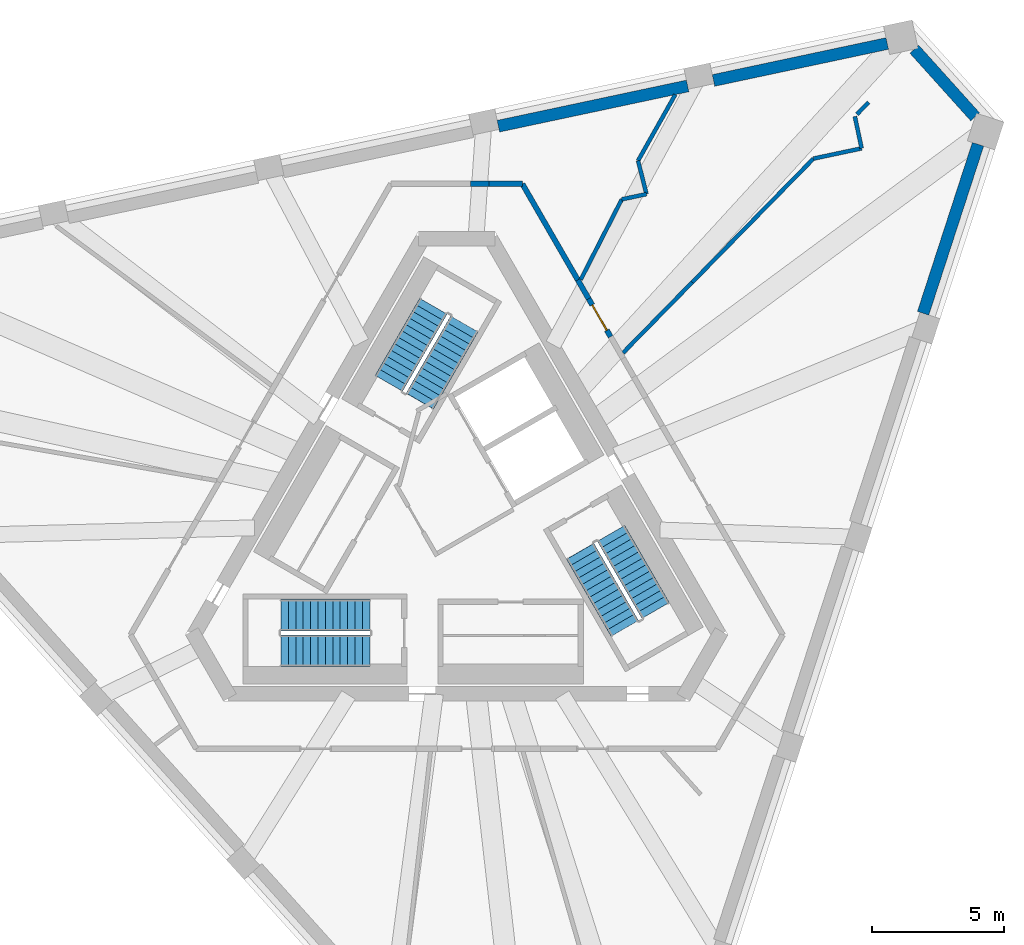
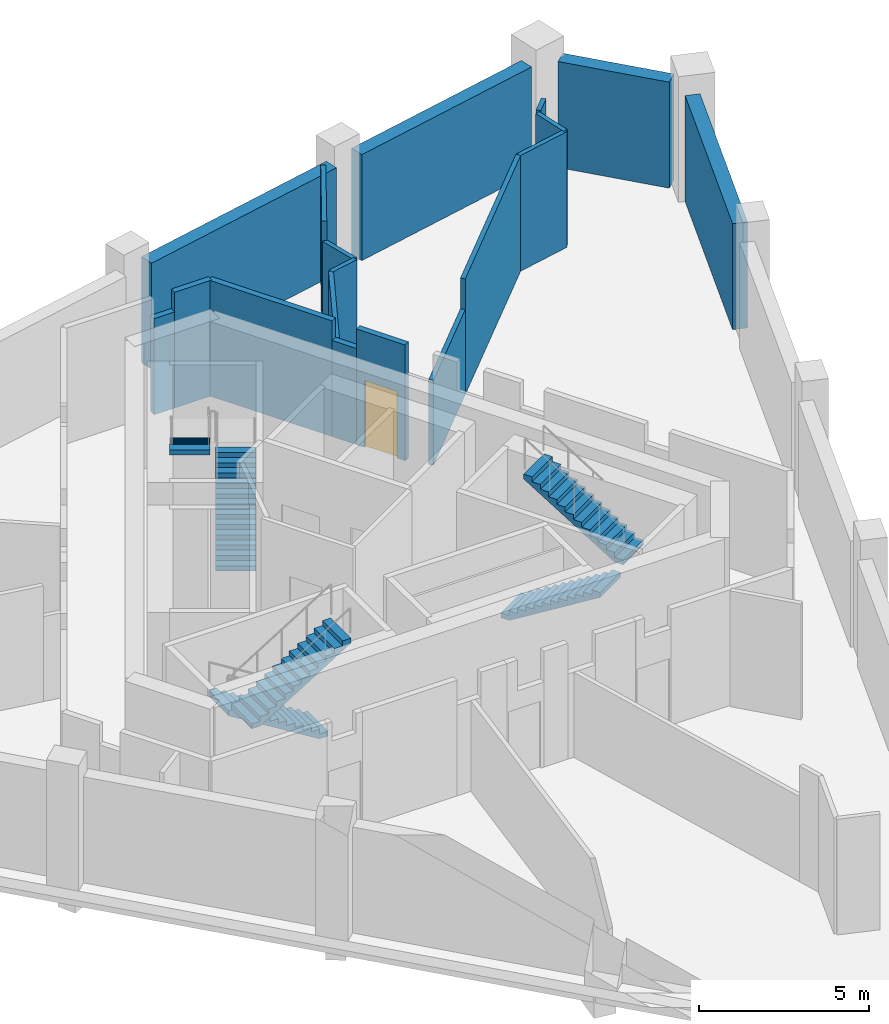
# One storey, part 4 of 5: 18 walls, 6 stair flights, 1 door, 1 opening, 3 elements without a shape of their own.
"""IFC4 building model written with IfcOpenShell, lengths in metres."""

from ifc_helpers import new_model, si_unit, direction, frame, frame_2d, origin, place, context, subcontext, project, spatial, polyline, rectangle, outline, extrude, material, layer, layer_set, type_object, element, fill, aggregate, save


model = new_model("IFC4")

# Units and contexts
model_context = context("Model", 3, precision=1e-05, world=origin(), true_north=direction((0.0, 1.0)))
body_context = subcontext(model_context, "Body", "Model", "MODEL_VIEW")
ifc_project = project(units=[si_unit("LENGTHUNIT", "METRE"), si_unit("AREAUNIT", "SQUARE_METRE"), si_unit("VOLUMEUNIT", "CUBIC_METRE"), si_unit("PLANEANGLEUNIT", "RADIAN"), si_unit("MASSUNIT", "GRAM", prefix="KILO")], contexts=[model_context])

# Site, building, storey
site_placement = place(None, origin())
site = spatial("IfcSite", under=ifc_project, at=site_placement, CompositionType="ELEMENT")
building_placement = place(site_placement, origin())
building = spatial("IfcBuilding", under=site, at=building_placement, Name="Tramontana Tower", CompositionType="ELEMENT")
storey_placement = place(building_placement, frame((0.0, 0.0, 370.39990234375)))
storey = spatial("IfcBuildingStorey", under=building, at=storey_placement, Name="L85", CompositionType="ELEMENT", Elevation=370.39990234375)

# Walls
ifc_material_1 = material(Name="Blockwork", Category="masonry")
ifc_layer_1 = layer(ifc_material_1, 0.199951171875)
ifc_layer_set_1 = layer_set([ifc_layer_1], Name="ENTRY WALL 200")
wall_type_1 = type_object("IfcWallType", Name="ENTRY WALL 200", PredefinedType="SOLIDWALL", material=ifc_layer_set_1)
wall_1_placement = place(storey_placement, frame((0.520263671875, 12.800048828125, 0.0), z_axis=(0.0, 0.0, 1.0), x_axis=(1.0, 0.0, 0.0)))
element("IfcWall", 1, at=wall_1_placement, inside=storey, type_object=wall_type_1, Name="Wall ew4-1", PredefinedType="SOLIDWALL", context=body_context, shape_type="SweptSolid", body=[
    extrude(rectangle(XDim=0.701416015625, YDim=0.199951171875, at=frame_2d((0.3505859375, 0.0))), origin(), (0.0, 0.0, 1.0), 3.4501953125),
])
wall_2_placement = place(storey_placement, frame((1.2216796875, 12.800048828125, 0.0), z_axis=(0.0, 0.0, 1.0), x_axis=(1.0, 0.0, 0.0)))
element("IfcWall", 2, at=wall_2_placement, inside=storey, type_object=wall_type_1, Name="Wall ew4-2", PredefinedType="SOLIDWALL", context=body_context, shape_type="SweptSolid", body=[
    extrude(rectangle(XDim=1.260986328125, YDim=0.199951171875, at=frame_2d((0.63037109375, 0.0))), origin(), (0.0, 0.0, 1.0), 4.150146484375),
])
wall_3_placement = place(storey_placement, frame((2.482666015625, 12.800048828125, 0.0), z_axis=(0.0, 0.0, 1.0), x_axis=(0.499982771656, -0.866035350345, 0.0)))
element("IfcWall", 3, at=wall_3_placement, inside=storey, type_object=wall_type_1, Name="Wall ew5-0", PredefinedType="SOLIDWALL", context=body_context, shape_type="SweptSolid", body=[
    extrude(rectangle(XDim=4.194580078125, YDim=0.199951171875, at=frame_2d((2.09716796875, 0.0))), origin(), (0.0, 0.0, 1.0), 4.150146484375),
])
wall_4_placement = place(storey_placement, frame((4.579833984375, 9.16748046875, 0.0), z_axis=(0.0, 0.0, 1.0), x_axis=(0.499945576647, -0.866056822842, 0.0)))
element("IfcWall", 4, at=wall_4_placement, inside=storey, type_object=wall_type_1, Name="Wall ew5-1", PredefinedType="SOLIDWALL", context=body_context, shape_type="SweptSolid", body=[
    extrude(rectangle(XDim=0.82080078125, YDim=0.199951171875, at=frame_2d((0.410400390625, 0.0))), origin(), (0.0, 0.0, 1.0), 3.4501953125),
])

# Wall, opening, door
wall_5_placement = place(storey_placement, frame((4.990234375, 8.45654296875, 0.0), z_axis=(0.0, 0.0, 1.0), x_axis=(0.500024536802, -0.866011236992, 0.0)))
wall_5 = element("IfcWall", 5, at=wall_5_placement, inside=storey, type_object=wall_type_1, Name="Wall ew5-2", PredefinedType="SOLIDWALL", context=body_context, shape_type="SweptSolid", body=[
    extrude(rectangle(XDim=1.65576171875, YDim=0.199951171875, at=frame_2d((0.827880859375, 0.0))), origin(), (0.0, 0.0, 1.0), 4.150146484375),
])
opening_placement = place(wall_5_placement, frame((0.2724609375, 0.0, 0.0)))
opening = element("IfcOpeningElement", 6, at=opening_placement, cuts=wall_5, Name="Opening L85-01", PredefinedType="OPENING", context=body_context, shape_type="SweptSolid", body=[
    extrude(rectangle(XDim=1.10009765625, YDim=2.39990234375, at=frame_2d((0.550048828125, 1.199951171875))), frame((0.0, 0.10986328125, 0.0), z_axis=(0.0, -1.0, 0.0), x_axis=(1.0, 0.0, 0.0)), (0.0, 0.0, 1.0), 0.219970703125),
])
ifc_material_2 = material(Name="Painted timber", Category="wood")
door_type = type_object("IfcDoorType", Name="DOOR ENTRY 1100", OperationType="SINGLE_SWING_LEFT", PredefinedType="DOOR", material=ifc_material_2)
door_placement = place(opening_placement, origin())
door = element("IfcDoor", 7, at=door_placement, inside=storey, type_object=door_type, Name="Door L85-01", OperationType="SINGLE_SWING_LEFT", OverallHeight=2.39990234375, OverallWidth=1.10009765625, PredefinedType="DOOR", context=body_context, shape_type="SweptSolid", body=[
    extrude(rectangle(XDim=1.10009765625, YDim=2.39990234375, at=frame_2d((0.550048828125, 1.199951171875))), frame((0.0, 0.02490234375, 0.0), z_axis=(0.0, -1.0, 0.0), x_axis=(1.0, 0.0, 0.0)), (0.0, 0.0, 1.0), 0.050048828125),
])
fill(opening, door)

# Walls
ifc_material_3 = material(Name="Precast concrete 60 MPa", Category="concrete")
ifc_layer_2 = layer(ifc_material_3, 0.449951171875)
ifc_layer_set_2 = layer_set([ifc_layer_2], Name="Precast concrete 60 MPa, 450 mm")
wall_type_2 = type_object("IfcWallType", Name="EW1 Stone-faced precast wall 450", PredefinedType="SOLIDWALL", material=ifc_layer_set_2)
wall_6_placement = place(storey_placement, frame((17.632080078125, 7.9091796875, 0.0), z_axis=(0.0, 0.0, 1.0), x_axis=(0.309018647645, 0.951055979114, 0.0)))
element("IfcWall", 8, at=wall_6_placement, inside=storey, type_object=wall_type_2, Name="Stone band wall L85 face 1s 5", PredefinedType="SOLIDWALL", context=body_context, shape_type="SweptSolid", body=[
    extrude(rectangle(XDim=6.7138671875, YDim=0.449951171875, at=frame_2d((3.35693359375, 0.0))), origin(), (0.0, 0.0, 1.0), 3.800048828125),
])
wall_7_placement = place(storey_placement, frame((19.597900390625, 15.334716796875, 0.0), z_axis=(0.0, 0.0, 1.0), x_axis=(-0.669109997009, 0.743163381702, 0.0)))
element("IfcWall", 9, at=wall_7_placement, inside=storey, type_object=wall_type_2, Name="Stone band wall L85 face 2k 1", PredefinedType="SOLIDWALL", context=body_context, shape_type="SweptSolid", body=[
    extrude(rectangle(XDim=3.435302734375, YDim=0.449951171875, at=frame_2d((1.7177734375, 0.0))), origin(), (0.0, 0.0, 1.0), 3.800048828125),
])
wall_8_placement = place(storey_placement, frame((8.73095703125, 16.500732421875, 0.0), z_axis=(0.0, 0.0, 1.0), x_axis=(-0.978151299843, -0.207894287118, 0.0)))
element("IfcWall", 10, at=wall_8_placement, inside=storey, type_object=wall_type_2, Name="Stone band wall L85 face 2s 4", PredefinedType="SOLIDWALL", context=body_context, shape_type="SweptSolid", body=[
    extrude(rectangle(XDim=7.31396484375, YDim=0.449951171875, at=frame_2d((3.656982421875, 0.0))), origin(), (0.0, 0.0, 1.0), 3.800048828125),
])
wall_9_placement = place(storey_placement, frame((16.276123046875, 18.104736328125, 0.0), z_axis=(0.0, 0.0, 1.0), x_axis=(-0.978144338977, -0.207927035587, 0.0)))
element("IfcWall", 11, at=wall_9_placement, inside=storey, type_object=wall_type_2, Name="Stone band wall L85 face 2s 5", PredefinedType="SOLIDWALL", context=body_context, shape_type="SweptSolid", body=[
    extrude(rectangle(XDim=6.7138671875, YDim=0.449951171875, at=frame_2d((3.35693359375, 0.0))), origin(), (0.0, 0.0, 1.0), 3.800048828125),
])
ifc_material_4 = material(Name="Gypsum board partition")
ifc_layer_3 = layer(ifc_material_4, 0.14990234375)
ifc_layer_set_3 = layer_set([ifc_layer_3], Name="PARTITION 150")
wall_type_3 = type_object("IfcWallType", Name="PARTITION 150", PredefinedType="PARTITIONING", material=ifc_layer_set_3)
wall_10_placement = place(storey_placement, frame((4.689453125, 9.177734375, 0.0), z_axis=(0.0, 0.0, 1.0), x_axis=(0.454986170549, 0.890498503429, 0.0)))
element("IfcWall", 12, at=wall_10_placement, inside=storey, type_object=wall_type_3, Name="Wall fw-pw08-0", PredefinedType="PARTITIONING", context=body_context, shape_type="SweptSolid", body=[
    extrude(rectangle(XDim=3.409912109375, YDim=0.14990234375, at=frame_2d((1.705078125, 0.0))), origin(), (0.0, 0.0, 1.0), 3.4501953125),
])
wall_11_placement = place(storey_placement, frame((6.240966796875, 12.21435546875, 0.0), z_axis=(0.0, 0.0, 1.0), x_axis=(0.978156899052, 0.207867940861, 0.0)))
element("IfcWall", 13, at=wall_11_placement, inside=storey, type_object=wall_type_3, Name="Wall fw-pw10-0", PredefinedType="PARTITIONING", context=body_context, shape_type="SweptSolid", body=[
    extrude(rectangle(XDim=0.95361328125, YDim=0.14990234375, at=frame_2d((0.476806640625, 0.0))), origin(), (0.0, 0.0, 1.0), 3.4501953125),
])
wall_12_placement = place(storey_placement, frame((6.856201171875, 13.67431640625, 0.0), z_axis=(0.0, 0.0, 1.0), x_axis=(0.490827341064, 0.871256862965, 0.0)))
element("IfcWall", 14, at=wall_12_placement, inside=storey, type_object=wall_type_3, Name="Wall fw-pw11", PredefinedType="PARTITIONING", context=body_context, shape_type="SweptSolid", body=[
    extrude(rectangle(XDim=2.865966796875, YDim=0.14990234375, at=frame_2d((1.43310546875, 0.0))), origin(), (0.0, 0.0, 1.0), 4.150146484375),
])
wall_13_placement = place(storey_placement, frame((7.17529296875, 12.4150390625, 0.0), z_axis=(0.0, 0.0, 1.0), x_axis=(-0.245629774487, 0.969363715994, 0.0)))
element("IfcWall", 15, at=wall_13_placement, inside=storey, type_object=wall_type_3, Name="Wall fw-pw12-0", PredefinedType="PARTITIONING", context=body_context, shape_type="SweptSolid", body=[
    extrude(rectangle(XDim=1.299072265625, YDim=0.14990234375, at=frame_2d((0.6494140625, 0.0))), origin(), (0.0, 0.0, 1.0), 3.4501953125),
])
wall_14_placement = place(storey_placement, frame((13.48828125, 13.754638671875, 0.0), z_axis=(0.0, 0.0, 1.0), x_axis=(-0.700154559569, -0.713991311372, 0.0)))
element("IfcWall", 16, at=wall_14_placement, inside=storey, type_object=wall_type_3, Name="Wall fw-pw14-0", PredefinedType="PARTITIONING", context=body_context, shape_type="SweptSolid", body=[
    extrude(rectangle(XDim=6.546142578125, YDim=0.14990234375, at=frame_2d((3.27294921875, 0.0))), origin(), (0.0, 0.0, 1.0), 4.150146484375),
])
wall_15_placement = place(storey_placement, frame((8.905029296875, 9.080810546875, 0.0), z_axis=(0.0, 0.0, 1.0), x_axis=(-0.700152348121, -0.713993479956, 0.0)))
element("IfcWall", 17, at=wall_15_placement, inside=storey, type_object=wall_type_3, Name="Wall fw-pw14-1", PredefinedType="PARTITIONING", context=body_context, shape_type="SweptSolid", body=[
    extrude(rectangle(XDim=3.739501953125, YDim=0.14990234375, at=frame_2d((1.86962890625, 0.0))), origin(), (0.0, 0.0, 1.0), 3.050048828125),
])
wall_16_placement = place(storey_placement, frame((15.05126953125, 15.34716796875, 0.0), z_axis=(0.0, 0.0, 1.0), x_axis=(0.208026988199, -0.978123086417, 0.0)))
element("IfcWall", 18, at=wall_16_placement, inside=storey, type_object=wall_type_3, Name="Wall fw-pw15", PredefinedType="PARTITIONING", context=body_context, shape_type="SweptSolid", body=[
    extrude(rectangle(XDim=1.232177734375, YDim=0.14990234375, at=frame_2d((0.6162109375, 0.0))), origin(), (0.0, 0.0, 1.0), 4.150146484375),
])
wall_17_placement = place(storey_placement, frame((15.3076171875, 14.1416015625, 0.0), z_axis=(0.0, 0.0, 1.0), x_axis=(-0.97815083959, -0.207896452614, 0.0)))
element("IfcWall", 19, at=wall_17_placement, inside=storey, type_object=wall_type_3, Name="Wall fw-pw16", PredefinedType="PARTITIONING", context=body_context, shape_type="SweptSolid", body=[
    extrude(rectangle(XDim=1.85888671875, YDim=0.14990234375, at=frame_2d((0.929443359375, 0.0))), origin(), (0.0, 0.0, 1.0), 4.150146484375),
])
wall_18_placement = place(storey_placement, frame((15.573486328125, 15.881103515625, 0.0), z_axis=(0.0, 0.0, 1.0), x_axis=(-0.700051914435, -0.71409195283, 0.0)))
element("IfcWall", 20, at=wall_18_placement, inside=storey, type_object=wall_type_3, Name="Wall fw-pw17", PredefinedType="PARTITIONING", context=body_context, shape_type="SweptSolid", body=[
    extrude(rectangle(XDim=0.6259765625, YDim=0.14990234375, at=frame_2d((0.31298828125, 0.0))), origin(), (0.0, 0.0, 1.0), 4.150146484375),
])

# Stair, stair flights
ifc_material_5 = material(Name="Concrete 40 MPa", Category="concrete")
stair_type = type_object("IfcStairType", Name="EXIT STAIR 26 RISERS", PredefinedType="HALF_TURN_STAIR", material=ifc_material_5)
stair_1_placement = place(storey_placement, origin())
stair_1 = element("IfcStair", 21, at=stair_1_placement, inside=storey, type_object=stair_type, Name="L85 Exit stair ST1", PredefinedType="HALF_TURN_STAIR")
ifc_material_6 = material(Name="Concrete 40 MPa", Category="concrete")
ifc_layer_4 = layer(ifc_material_6, 0.14990234375)
ifc_layer_set_4 = layer_set([ifc_layer_4], Name="EXIT STAIR FLIGHT")
stair_flight_type = type_object("IfcStairFlightType", Name="EXIT STAIR FLIGHT", PredefinedType="STRAIGHT", material=ifc_layer_set_4)
stair_flight_1_placement = place(storey_placement, frame((-1.39111328125, 4.590576171875, 0.0), z_axis=(0.0, 0.0, 1.0), x_axis=(0.5, 0.866025403784, 0.0)))
stair_flight_1 = element("IfcStairFlight", 22, at=stair_flight_1_placement, type_object=stair_flight_type, Name="ST1 flight 1", NumberOfRisers=13, NumberOfTreads=12, PredefinedType="STRAIGHT", RiserHeight=0.173076923, TreadLength=0.28, context=body_context, shape_type="SweptSolid", body=[
    extrude(outline(polyline([(-0.006103515625, 0.0), (-0.006103515625, 0.0400390625), (0.0, 0.0400390625), (0.0, 0.173095703125), (0.280029296875, 0.173095703125), (0.280029296875, 0.34619140625), (0.56005859375, 0.34619140625), (0.56005859375, 0.519287109375), (0.840087890625, 0.519287109375), (0.840087890625, 0.6923828125), (1.1201171875, 0.6923828125), (1.1201171875, 0.865478515625), (1.39990234375, 0.865478515625), (1.39990234375, 1.03857421875), (1.679931640625, 1.03857421875), (1.679931640625, 1.21142578125), (1.9599609375, 1.21142578125), (1.9599609375, 1.384521484375), (2.239990234375, 1.384521484375), (2.239990234375, 1.5576171875), (2.52001953125, 1.5576171875), (2.52001953125, 1.730712890625), (2.800048828125, 1.730712890625), (2.800048828125, 1.90380859375), (3.080078125, 1.90380859375), (3.080078125, 2.076904296875), (3.360107421875, 2.076904296875), (3.365966796875, 2.076904296875), (3.365966796875, 1.900634765625), (0.291015625, 0.0), (-0.006103515625, 0.0)])), frame((0.0, 0.60009765625, 0.0), z_axis=(0.0, -1.0, 0.0), x_axis=(1.0, 0.0, 0.0)), (0.0, 0.0, 1.0), 1.199951171875),
])
stair_flight_2_placement = place(storey_placement, frame((-0.880126953125, 8.17529296875, 2.25), z_axis=(0.0, 0.0, 1.0), x_axis=(-0.5, -0.866025403784, 0.0)))
stair_flight_2 = element("IfcStairFlight", 23, at=stair_flight_2_placement, type_object=stair_flight_type, Name="ST1 flight 2", NumberOfRisers=13, NumberOfTreads=12, PredefinedType="STRAIGHT", RiserHeight=0.173076923, TreadLength=0.28, context=body_context, shape_type="SweptSolid", body=[
    extrude(outline(polyline([(-0.006103515625, 0.0), (-0.006103515625, 0.0400390625), (0.0, 0.0400390625), (0.0, 0.173095703125), (0.280029296875, 0.173095703125), (0.280029296875, 0.34619140625), (0.56005859375, 0.34619140625), (0.56005859375, 0.519287109375), (0.840087890625, 0.519287109375), (0.840087890625, 0.6923828125), (1.1201171875, 0.6923828125), (1.1201171875, 0.865478515625), (1.39990234375, 0.865478515625), (1.39990234375, 1.03857421875), (1.679931640625, 1.03857421875), (1.679931640625, 1.21142578125), (1.9599609375, 1.21142578125), (1.9599609375, 1.384521484375), (2.239990234375, 1.384521484375), (2.239990234375, 1.5576171875), (2.52001953125, 1.5576171875), (2.52001953125, 1.730712890625), (2.800048828125, 1.730712890625), (2.800048828125, 1.90380859375), (3.080078125, 1.90380859375), (3.080078125, 2.076904296875), (3.360107421875, 2.076904296875), (3.365966796875, 2.076904296875), (3.365966796875, 1.900634765625), (0.291015625, 0.0), (-0.006103515625, 0.0)])), frame((0.0, 0.60009765625, 0.0), z_axis=(0.0, -1.0, 0.0), x_axis=(1.0, 0.0, 0.0)), (0.0, 0.0, 1.0), 1.199951171875),
])
aggregate(stair_1, [stair_flight_1, stair_flight_2])

stair_2_placement = place(storey_placement, origin())
stair_2 = element("IfcStair", 24, at=stair_2_placement, inside=storey, type_object=stair_type, Name="L85 Exit stair ST2", PredefinedType="HALF_TURN_STAIR")
stair_flight_3_placement = place(storey_placement, frame((-3.280029296875, -3.5, 0.0), z_axis=(0.0, 0.0, 1.0), x_axis=(-1.0, 0.0, 0.0)))
stair_flight_3 = element("IfcStairFlight", 25, at=stair_flight_3_placement, type_object=stair_flight_type, Name="ST2 flight 1", NumberOfRisers=13, NumberOfTreads=12, PredefinedType="STRAIGHT", RiserHeight=0.173076923, TreadLength=0.28, context=body_context, shape_type="SweptSolid", body=[
    extrude(outline(polyline([(-0.006103515625, 0.0), (-0.006103515625, 0.0400390625), (0.0, 0.0400390625), (0.0, 0.173095703125), (0.280029296875, 0.173095703125), (0.280029296875, 0.34619140625), (0.56005859375, 0.34619140625), (0.56005859375, 0.519287109375), (0.840087890625, 0.519287109375), (0.840087890625, 0.6923828125), (1.1201171875, 0.6923828125), (1.1201171875, 0.865478515625), (1.39990234375, 0.865478515625), (1.39990234375, 1.03857421875), (1.679931640625, 1.03857421875), (1.679931640625, 1.21142578125), (1.9599609375, 1.21142578125), (1.9599609375, 1.384521484375), (2.239990234375, 1.384521484375), (2.239990234375, 1.5576171875), (2.52001953125, 1.5576171875), (2.52001953125, 1.730712890625), (2.800048828125, 1.730712890625), (2.800048828125, 1.90380859375), (3.080078125, 1.90380859375), (3.080078125, 2.076904296875), (3.360107421875, 2.076904296875), (3.365966796875, 2.076904296875), (3.365966796875, 1.900634765625), (0.291015625, 0.0), (-0.006103515625, 0.0)])), frame((0.0, 0.60009765625, 0.0), z_axis=(0.0, -1.0, 0.0), x_axis=(1.0, 0.0, 0.0)), (0.0, 0.0, 1.0), 1.199951171875),
])
stair_flight_4_placement = place(storey_placement, frame((-6.639892578125, -4.85009765625, 2.25), z_axis=(0.0, 0.0, 1.0), x_axis=(1.0, 0.0, 0.0)))
stair_flight_4 = element("IfcStairFlight", 26, at=stair_flight_4_placement, type_object=stair_flight_type, Name="ST2 flight 2", NumberOfRisers=13, NumberOfTreads=12, PredefinedType="STRAIGHT", RiserHeight=0.173076923, TreadLength=0.28, context=body_context, shape_type="SweptSolid", body=[
    extrude(outline(polyline([(-0.006103515625, 0.0), (-0.006103515625, 0.0400390625), (0.0, 0.0400390625), (0.0, 0.173095703125), (0.280029296875, 0.173095703125), (0.280029296875, 0.34619140625), (0.56005859375, 0.34619140625), (0.56005859375, 0.519287109375), (0.840087890625, 0.519287109375), (0.840087890625, 0.6923828125), (1.1201171875, 0.6923828125), (1.1201171875, 0.865478515625), (1.39990234375, 0.865478515625), (1.39990234375, 1.03857421875), (1.679931640625, 1.03857421875), (1.679931640625, 1.21142578125), (1.9599609375, 1.21142578125), (1.9599609375, 1.384521484375), (2.239990234375, 1.384521484375), (2.239990234375, 1.5576171875), (2.52001953125, 1.5576171875), (2.52001953125, 1.730712890625), (2.800048828125, 1.730712890625), (2.800048828125, 1.90380859375), (3.080078125, 1.90380859375), (3.080078125, 2.076904296875), (3.360107421875, 2.076904296875), (3.365966796875, 2.076904296875), (3.365966796875, 1.900634765625), (0.291015625, 0.0), (-0.006103515625, 0.0)])), frame((0.0, 0.60009765625, 0.0), z_axis=(0.0, -1.0, 0.0), x_axis=(1.0, 0.0, 0.0)), (0.0, 0.0, 1.0), 1.199951171875),
])
aggregate(stair_2, [stair_flight_3, stair_flight_4])

stair_3_placement = place(storey_placement, origin())
stair_3 = element("IfcStair", 27, at=stair_3_placement, inside=storey, type_object=stair_type, Name="L85 Exit stair ST3", PredefinedType="HALF_TURN_STAIR")
stair_flight_5_placement = place(storey_placement, frame((4.671142578125, -1.090576171875, 0.0), z_axis=(0.0, 0.0, 1.0), x_axis=(0.5, -0.866025403784, 0.0)))
stair_flight_5 = element("IfcStairFlight", 28, at=stair_flight_5_placement, type_object=stair_flight_type, Name="ST3 flight 1", NumberOfRisers=13, NumberOfTreads=12, PredefinedType="STRAIGHT", RiserHeight=0.173076923, TreadLength=0.28, context=body_context, shape_type="SweptSolid", body=[
    extrude(outline(polyline([(-0.006103515625, 0.0), (-0.006103515625, 0.0400390625), (0.0, 0.0400390625), (0.0, 0.173095703125), (0.280029296875, 0.173095703125), (0.280029296875, 0.34619140625), (0.56005859375, 0.34619140625), (0.56005859375, 0.519287109375), (0.840087890625, 0.519287109375), (0.840087890625, 0.6923828125), (1.1201171875, 0.6923828125), (1.1201171875, 0.865478515625), (1.39990234375, 0.865478515625), (1.39990234375, 1.03857421875), (1.679931640625, 1.03857421875), (1.679931640625, 1.21142578125), (1.9599609375, 1.21142578125), (1.9599609375, 1.384521484375), (2.239990234375, 1.384521484375), (2.239990234375, 1.5576171875), (2.52001953125, 1.5576171875), (2.52001953125, 1.730712890625), (2.800048828125, 1.730712890625), (2.800048828125, 1.90380859375), (3.080078125, 1.90380859375), (3.080078125, 2.076904296875), (3.360107421875, 2.076904296875), (3.365966796875, 2.076904296875), (3.365966796875, 1.900634765625), (0.291015625, 0.0), (-0.006103515625, 0.0)])), frame((0.0, 0.60009765625, 0.0), z_axis=(0.0, -1.0, 0.0), x_axis=(1.0, 0.0, 0.0)), (0.0, 0.0, 1.0), 1.199951171875),
])
stair_flight_6_placement = place(storey_placement, frame((7.520263671875, -3.325439453125, 2.25), z_axis=(0.0, 0.0, 1.0), x_axis=(-0.5, 0.866025403784, 0.0)))
stair_flight_6 = element("IfcStairFlight", 29, at=stair_flight_6_placement, type_object=stair_flight_type, Name="ST3 flight 2", NumberOfRisers=13, NumberOfTreads=12, PredefinedType="STRAIGHT", RiserHeight=0.173076923, TreadLength=0.28, context=body_context, shape_type="SweptSolid", body=[
    extrude(outline(polyline([(-0.006103515625, 0.0), (-0.006103515625, 0.0400390625), (0.0, 0.0400390625), (0.0, 0.173095703125), (0.280029296875, 0.173095703125), (0.280029296875, 0.34619140625), (0.56005859375, 0.34619140625), (0.56005859375, 0.519287109375), (0.840087890625, 0.519287109375), (0.840087890625, 0.6923828125), (1.1201171875, 0.6923828125), (1.1201171875, 0.865478515625), (1.39990234375, 0.865478515625), (1.39990234375, 1.03857421875), (1.679931640625, 1.03857421875), (1.679931640625, 1.21142578125), (1.9599609375, 1.21142578125), (1.9599609375, 1.384521484375), (2.239990234375, 1.384521484375), (2.239990234375, 1.5576171875), (2.52001953125, 1.5576171875), (2.52001953125, 1.730712890625), (2.800048828125, 1.730712890625), (2.800048828125, 1.90380859375), (3.080078125, 1.90380859375), (3.080078125, 2.076904296875), (3.360107421875, 2.076904296875), (3.365966796875, 2.076904296875), (3.365966796875, 1.900634765625), (0.291015625, 0.0), (-0.006103515625, 0.0)])), frame((0.0, 0.60009765625, 0.0), z_axis=(0.0, -1.0, 0.0), x_axis=(1.0, 0.0, 0.0)), (0.0, 0.0, 1.0), 1.199951171875),
])
aggregate(stair_3, [stair_flight_5, stair_flight_6])

save(model, "model.ifc")
